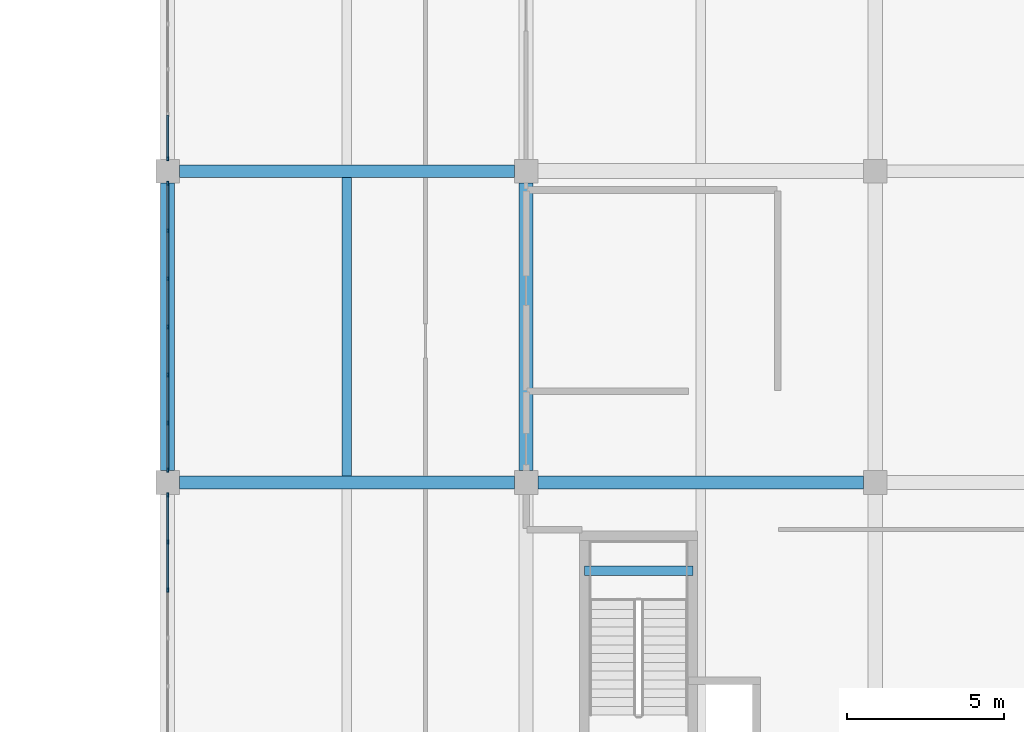
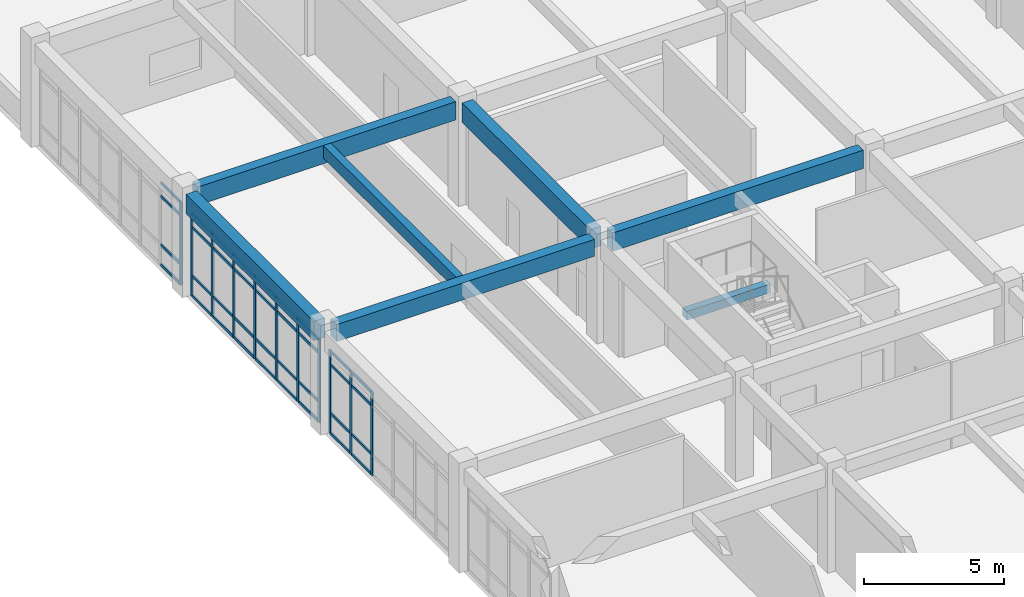
# One storey, part 30 of 68: 47 members, 7 beams, 3 elements without a shape of their own.
"""IFC4 building model written with IfcOpenShell, lengths in metres."""

from ifc_helpers import new_model, si_unit, direction, frame, origin, origin_2d, place, context, subcontext, project, spatial, rectangle, extrude, material, layer, layer_set, material_profile, profile_set, type_object, element, aggregate, save


model = new_model("IFC4")

# Units and contexts
model_context = context("Model", 3, precision=1e-05, world=origin(), true_north=direction((0.0, 1.0)))
body_context = subcontext(model_context, "Body", "Model", "MODEL_VIEW")
ifc_project = project(units=[si_unit("LENGTHUNIT", "METRE"), si_unit("AREAUNIT", "SQUARE_METRE"), si_unit("VOLUMEUNIT", "CUBIC_METRE"), si_unit("PLANEANGLEUNIT", "RADIAN"), si_unit("MASSUNIT", "GRAM", prefix="KILO")], contexts=[model_context])

# Site, building, storey
site_placement = place(None, origin())
site = spatial("IfcSite", under=ifc_project, at=site_placement, CompositionType="ELEMENT")
building_placement = place(site_placement, origin())
building = spatial("IfcBuilding", under=site, at=building_placement, Name="Miralva Faculty of Natural Sciences", CompositionType="ELEMENT")
storey_placement = place(building_placement, frame((0.0, 0.0, 5.39990234375)))
storey = spatial("IfcBuildingStorey", under=building, at=storey_placement, Name="L01", CompositionType="ELEMENT", Elevation=5.39990234375)

# Beams
ifc_material_1 = material(Name="Concrete C40/50", Category="concrete")
ifc_material_profile_1 = material_profile(ifc_material_1, rectangle(XDim=0.449951171875, YDim=0.85009765625, at=origin_2d()), Name="RC 450x850")
ifc_profile_set_1 = profile_set([ifc_material_profile_1], Name="Concrete C40/50")
beam_type_1 = type_object("IfcBeamType", Name="BM-B01", PredefinedType="BEAM", material=ifc_profile_set_1)
for number, where, z_axis, x_axis, name in (
    (1, (133.800048828125, 55.875, 4.05517578125), (0.0, 1.0, 0.0), (-1.0, 0.0, 0.0), "Girder NS L01-165"),
    (2, (145.199951171875, 55.875, 4.05517578125), (0.0, 1.0, 0.0), (-1.0, 0.0, 0.0), "Girder NS L01-172"),
):
    element("IfcBeam", number, at=place(storey_placement, frame(where, z_axis=z_axis, x_axis=x_axis)), inside=storey, type_object=beam_type_1, Name=name, PredefinedType="BEAM", context=body_context, shape_type="SweptSolid", body=[
        extrude(rectangle(XDim=0.449951171875, YDim=0.85009765625, at=origin_2d()), origin(), (0.0, 0.0, 1.0), 9.14990234375),
    ])
ifc_material_profile_2 = material_profile(ifc_material_1, rectangle(XDim=0.39990234375, YDim=0.800048828125, at=origin_2d()), Name="RC 400x800")
ifc_profile_set_2 = profile_set([ifc_material_profile_2], Name="Concrete C40/50")
beam_type_2 = type_object("IfcBeamType", Name="BM-B02", PredefinedType="BEAM", material=ifc_profile_set_2)
beam_1_placement = place(storey_placement, frame((145.574951171875, 55.5, 4.080078125), z_axis=(1.0, 0.0, 0.0), x_axis=(0.0, 1.0, 0.0)))
element("IfcBeam", 3, at=beam_1_placement, inside=storey, type_object=beam_type_2, Name="Girder EW L01-54", PredefinedType="BEAM", context=body_context, shape_type="SweptSolid", body=[
    extrude(rectangle(XDim=0.39990234375, YDim=0.800048828125, at=origin_2d()), origin(), (0.0, 0.0, 1.0), 10.35009765625),
])
beam_2_placement = place(storey_placement, frame((134.175048828125, 65.39990234375, 4.080078125), z_axis=(1.0, 0.0, 0.0), x_axis=(0.0, 1.0, 0.0)))
element("IfcBeam", 4, at=beam_2_placement, inside=storey, type_object=beam_type_2, Name="Girder EW L01-58", PredefinedType="BEAM", context=body_context, shape_type="SweptSolid", body=[
    extrude(rectangle(XDim=0.39990234375, YDim=0.800048828125, at=origin_2d()), origin(), (0.0, 0.0, 1.0), 10.64990234375),
])
ifc_material_profile_3 = material_profile(ifc_material_1, rectangle(XDim=0.419921875, YDim=0.739990234375, at=origin_2d()), Name="RC 420x740")
ifc_profile_set_3 = profile_set([ifc_material_profile_3], Name="Concrete C40/50")
beam_type_3 = type_object("IfcBeamType", Name="BM-BG11", PredefinedType="BEAM", material=ifc_profile_set_3)
beam_3_placement = place(storey_placement, frame((134.175048828125, 55.5, 4.110107421875), z_axis=(1.0, 0.0, 0.0), x_axis=(0.0, 1.0, 0.0)))
element("IfcBeam", 5, at=beam_3_placement, inside=storey, type_object=beam_type_3, Name="Girder EW L01-53", PredefinedType="BEAM", context=body_context, shape_type="SweptSolid", body=[
    extrude(rectangle(XDim=0.419921875, YDim=0.739990234375, at=origin_2d()), origin(), (0.0, 0.0, 1.0), 10.64990234375),
])
ifc_material_profile_4 = material_profile(ifc_material_1, rectangle(XDim=0.300048828125, YDim=0.550048828125, at=origin_2d()), Name="RC 300x550")
ifc_profile_set_4 = profile_set([ifc_material_profile_4], Name="Concrete C40/50")
beam_type_4 = type_object("IfcBeamType", Name="BM-J02", PredefinedType="JOIST", material=ifc_profile_set_4)
beam_4_placement = place(storey_placement, frame((139.5, 55.7099609375, 4.205078125), z_axis=(0.0, 1.0, 0.0), x_axis=(-1.0, 0.0, 0.0)))
element("IfcBeam", 6, at=beam_4_placement, inside=storey, type_object=beam_type_4, Name="Floor joist L01-19", PredefinedType="JOIST", context=body_context, shape_type="SweptSolid", body=[
    extrude(rectangle(XDim=0.300048828125, YDim=0.550048828125, at=origin_2d()), origin(), (0.0, 0.0, 1.0), 9.489990234375),
])
ifc_material_profile_5 = material_profile(ifc_material_1, rectangle(XDim=0.300048828125, YDim=0.3798828125, at=origin_2d()), Name="RC 300x380")
ifc_profile_set_5 = profile_set([ifc_material_profile_5], Name="Concrete C40/50")
beam_type_5 = type_object("IfcBeamType", Name="BM-LND01", PredefinedType="BEAM", material=ifc_profile_set_5)
beam_5_placement = place(storey_placement, frame((147.050048828125, 52.695068359375, 2.02001953125), z_axis=(1.0, 0.0, 0.0), x_axis=(0.0, 1.0, 0.0)))
element("IfcBeam", 7, at=beam_5_placement, inside=storey, type_object=beam_type_5, Name="Stair Core C4 half-landing support beam L01", PredefinedType="BEAM", context=body_context, shape_type="SweptSolid", body=[
    extrude(rectangle(XDim=0.300048828125, YDim=0.3798828125, at=origin_2d()), origin(), (0.0, 0.0, 1.0), 3.449951171875),
])

# Curtain wall, members
ifc_material_2 = material(Name="Laminated solar-control glass", Category="glass")
ifc_layer = layer(ifc_material_2, 0.179931640625, Name="CW-COM-L01")
ifc_layer_set = layer_set([ifc_layer], Name="Laminated solar-control glass")
curtain_wall_type = type_object("IfcCurtainWallType", Name="CW-COM-L01", PredefinedType="USERDEFINED", material=ifc_layer_set)
curtain_wall_1_placement = place(storey_placement, origin())
curtain_wall_1 = element("IfcCurtainWall", 8, at=curtain_wall_1_placement, inside=storey, type_object=curtain_wall_type, Name="Curtain wall CW-10 L01-265", ObjectType="UNITISED CURTAIN WALL", PredefinedType="USERDEFINED")
ifc_material_3 = material(Name="Anodised aluminium", Category="aluminium")
ifc_material_profile_6 = material_profile(ifc_material_3, rectangle(XDim=0.06005859375, YDim=0.139892578125, at=origin_2d()), Name="MULLION 60x140")
ifc_profile_set_6 = profile_set([ifc_material_profile_6], Name="Anodised aluminium")
member_type_1 = type_object("IfcMemberType", Name="CW-M03", PredefinedType="MULLION", material=ifc_profile_set_6)
member_1_placement = place(storey_placement, frame((133.800048828125, 52.078369140625, 0.0), z_axis=(0.0, 0.0, 1.0), x_axis=(-1.0, 0.0, 0.0)))
member_1 = element("IfcMember", 9, at=member_1_placement, type_object=member_type_1, Name="CW-10 mullion 5", PredefinedType="MULLION", context=body_context, shape_type="SweptSolid", body=[
    extrude(rectangle(XDim=0.06005859375, YDim=0.139892578125, at=origin_2d()), origin(), (0.0, 0.0, 1.0), 3.625),
])
member_2_placement = place(storey_placement, frame((133.800048828125, 53.606689453125, 0.0), z_axis=(0.0, 0.0, 1.0), x_axis=(-1.0, 0.0, 0.0)))
member_2 = element("IfcMember", 10, at=member_2_placement, type_object=member_type_1, Name="CW-10 mullion 6", PredefinedType="MULLION", context=body_context, shape_type="SweptSolid", body=[
    extrude(rectangle(XDim=0.06005859375, YDim=0.139892578125, at=origin_2d()), origin(), (0.0, 0.0, 1.0), 3.625),
])
member_3_placement = place(storey_placement, frame((133.800048828125, 55.10498046875, 0.0), z_axis=(0.0, 0.0, 1.0), x_axis=(-1.0, 0.0, 0.0)))
member_3 = element("IfcMember", 11, at=member_3_placement, type_object=member_type_1, Name="CW-10 mullion 7", PredefinedType="MULLION", context=body_context, shape_type="SweptSolid", body=[
    extrude(rectangle(XDim=0.06005859375, YDim=0.139892578125, at=origin_2d()), origin(), (0.0, 0.0, 1.0), 3.625),
])

curtain_wall_2_placement = place(storey_placement, origin())
curtain_wall_2 = element("IfcCurtainWall", 12, at=curtain_wall_2_placement, inside=storey, type_object=curtain_wall_type, Name="Curtain wall CW-10 L01-266", ObjectType="UNITISED CURTAIN WALL", PredefinedType="USERDEFINED")
member_4_placement = place(storey_placement, frame((133.800048828125, 55.89501953125, 0.0), z_axis=(0.0, 0.0, 1.0), x_axis=(-1.0, 0.0, 0.0)))
member_4 = element("IfcMember", 13, at=member_4_placement, type_object=member_type_1, Name="CW-10 mullion 1", PredefinedType="MULLION", context=body_context, shape_type="SweptSolid", body=[
    extrude(rectangle(XDim=0.06005859375, YDim=0.139892578125, at=origin_2d()), origin(), (0.0, 0.0, 1.0), 3.625),
])
member_5_placement = place(storey_placement, frame((133.800048828125, 57.393310546875, 0.0), z_axis=(0.0, 0.0, 1.0), x_axis=(-1.0, 0.0, 0.0)))
member_5 = element("IfcMember", 14, at=member_5_placement, type_object=member_type_1, Name="CW-10 mullion 2", PredefinedType="MULLION", context=body_context, shape_type="SweptSolid", body=[
    extrude(rectangle(XDim=0.06005859375, YDim=0.139892578125, at=origin_2d()), origin(), (0.0, 0.0, 1.0), 3.625),
])
member_6_placement = place(storey_placement, frame((133.800048828125, 58.921630859375, 0.0), z_axis=(0.0, 0.0, 1.0), x_axis=(-1.0, 0.0, 0.0)))
member_6 = element("IfcMember", 15, at=member_6_placement, type_object=member_type_1, Name="CW-10 mullion 3", PredefinedType="MULLION", context=body_context, shape_type="SweptSolid", body=[
    extrude(rectangle(XDim=0.06005859375, YDim=0.139892578125, at=origin_2d()), origin(), (0.0, 0.0, 1.0), 3.625),
])
member_7_placement = place(storey_placement, frame((133.800048828125, 60.449951171875, 0.0), z_axis=(0.0, 0.0, 1.0), x_axis=(-1.0, 0.0, 0.0)))
member_7 = element("IfcMember", 16, at=member_7_placement, type_object=member_type_1, Name="CW-10 mullion 4", PredefinedType="MULLION", context=body_context, shape_type="SweptSolid", body=[
    extrude(rectangle(XDim=0.06005859375, YDim=0.139892578125, at=origin_2d()), origin(), (0.0, 0.0, 1.0), 3.625),
])
member_8_placement = place(storey_placement, frame((133.800048828125, 61.978271484375, 0.0), z_axis=(0.0, 0.0, 1.0), x_axis=(-1.0, 0.0, 0.0)))
member_8 = element("IfcMember", 17, at=member_8_placement, type_object=member_type_1, Name="CW-10 mullion 5", PredefinedType="MULLION", context=body_context, shape_type="SweptSolid", body=[
    extrude(rectangle(XDim=0.06005859375, YDim=0.139892578125, at=origin_2d()), origin(), (0.0, 0.0, 1.0), 3.625),
])
member_9_placement = place(storey_placement, frame((133.800048828125, 63.506591796875, 0.0), z_axis=(0.0, 0.0, 1.0), x_axis=(-1.0, 0.0, 0.0)))
member_9 = element("IfcMember", 18, at=member_9_placement, type_object=member_type_1, Name="CW-10 mullion 6", PredefinedType="MULLION", context=body_context, shape_type="SweptSolid", body=[
    extrude(rectangle(XDim=0.06005859375, YDim=0.139892578125, at=origin_2d()), origin(), (0.0, 0.0, 1.0), 3.625),
])
member_10_placement = place(storey_placement, frame((133.800048828125, 65.0048828125, 0.0), z_axis=(0.0, 0.0, 1.0), x_axis=(-1.0, 0.0, 0.0)))
member_10 = element("IfcMember", 19, at=member_10_placement, type_object=member_type_1, Name="CW-10 mullion 7", PredefinedType="MULLION", context=body_context, shape_type="SweptSolid", body=[
    extrude(rectangle(XDim=0.06005859375, YDim=0.139892578125, at=origin_2d()), origin(), (0.0, 0.0, 1.0), 3.625),
])

# Curtain wall, member
curtain_wall_3_placement = place(storey_placement, origin())
curtain_wall_3 = element("IfcCurtainWall", 20, at=curtain_wall_3_placement, inside=storey, type_object=curtain_wall_type, Name="Curtain wall CW-10 L01-267", ObjectType="UNITISED CURTAIN WALL", PredefinedType="USERDEFINED")
member_11_placement = place(storey_placement, frame((133.800048828125, 65.794921875, 0.0), z_axis=(0.0, 0.0, 1.0), x_axis=(-1.0, 0.0, 0.0)))
member_11 = element("IfcMember", 21, at=member_11_placement, type_object=member_type_1, Name="CW-10 mullion 1", PredefinedType="MULLION", context=body_context, shape_type="SweptSolid", body=[
    extrude(rectangle(XDim=0.06005859375, YDim=0.139892578125, at=origin_2d()), origin(), (0.0, 0.0, 1.0), 3.625),
])

# Member
ifc_material_profile_7 = material_profile(ifc_material_3, rectangle(XDim=0.06005859375, YDim=0.1201171875, at=origin_2d()), Name="TRANSOM 60x120")
ifc_profile_set_7 = profile_set([ifc_material_profile_7], Name="Anodised aluminium")
member_type_2 = type_object("IfcMemberType", Name="CW-T02", PredefinedType="USERDEFINED", material=ifc_profile_set_7)
member_12_placement = place(storey_placement, frame((133.800048828125, 52.1083984375, 0.030029296875), z_axis=(0.0, 1.0, 0.0), x_axis=(-1.0, 0.0, 0.0)))
member_12 = element("IfcMember", 22, at=member_12_placement, type_object=member_type_2, Name="CW-10 transom 5.1", ObjectType="TRANSOM", PredefinedType="USERDEFINED", context=body_context, shape_type="SweptSolid", body=[
    extrude(rectangle(XDim=0.06005859375, YDim=0.1201171875, at=origin_2d()), origin(), (0.0, 0.0, 1.0), 1.46826171875),
])

member_13_placement = place(storey_placement, frame((133.800048828125, 52.1083984375, 0.900146484375), z_axis=(0.0, 1.0, 0.0), x_axis=(-1.0, 0.0, 0.0)))
member_13 = element("IfcMember", 23, at=member_13_placement, type_object=member_type_2, Name="CW-10 transom 5.2", ObjectType="TRANSOM", PredefinedType="USERDEFINED", context=body_context, shape_type="SweptSolid", body=[
    extrude(rectangle(XDim=0.06005859375, YDim=0.1201171875, at=origin_2d()), origin(), (0.0, 0.0, 1.0), 1.46826171875),
])

member_14_placement = place(storey_placement, frame((133.800048828125, 52.1083984375, 3.025146484375), z_axis=(0.0, 1.0, 0.0), x_axis=(-1.0, 0.0, 0.0)))
member_14 = element("IfcMember", 24, at=member_14_placement, type_object=member_type_2, Name="CW-10 transom 5.3", ObjectType="TRANSOM", PredefinedType="USERDEFINED", context=body_context, shape_type="SweptSolid", body=[
    extrude(rectangle(XDim=0.06005859375, YDim=0.1201171875, at=origin_2d()), origin(), (0.0, 0.0, 1.0), 1.46826171875),
])

member_15_placement = place(storey_placement, frame((133.800048828125, 52.1083984375, 3.59521484375), z_axis=(0.0, 1.0, 0.0), x_axis=(-1.0, 0.0, 0.0)))
member_15 = element("IfcMember", 25, at=member_15_placement, type_object=member_type_2, Name="CW-10 transom 5.4", ObjectType="TRANSOM", PredefinedType="USERDEFINED", context=body_context, shape_type="SweptSolid", body=[
    extrude(rectangle(XDim=0.06005859375, YDim=0.1201171875, at=origin_2d()), origin(), (0.0, 0.0, 1.0), 1.46826171875),
])

member_16_placement = place(storey_placement, frame((133.800048828125, 53.63671875, 0.030029296875), z_axis=(0.0, 1.0, 0.0), x_axis=(-1.0, 0.0, 0.0)))
member_16 = element("IfcMember", 26, at=member_16_placement, type_object=member_type_2, Name="CW-10 transom 6.1", ObjectType="TRANSOM", PredefinedType="USERDEFINED", context=body_context, shape_type="SweptSolid", body=[
    extrude(rectangle(XDim=0.06005859375, YDim=0.1201171875, at=origin_2d()), origin(), (0.0, 0.0, 1.0), 1.438232421875),
])

member_17_placement = place(storey_placement, frame((133.800048828125, 53.63671875, 0.900146484375), z_axis=(0.0, 1.0, 0.0), x_axis=(-1.0, 0.0, 0.0)))
member_17 = element("IfcMember", 27, at=member_17_placement, type_object=member_type_2, Name="CW-10 transom 6.2", ObjectType="TRANSOM", PredefinedType="USERDEFINED", context=body_context, shape_type="SweptSolid", body=[
    extrude(rectangle(XDim=0.06005859375, YDim=0.1201171875, at=origin_2d()), origin(), (0.0, 0.0, 1.0), 1.438232421875),
])

member_18_placement = place(storey_placement, frame((133.800048828125, 53.63671875, 3.025146484375), z_axis=(0.0, 1.0, 0.0), x_axis=(-1.0, 0.0, 0.0)))
member_18 = element("IfcMember", 28, at=member_18_placement, type_object=member_type_2, Name="CW-10 transom 6.3", ObjectType="TRANSOM", PredefinedType="USERDEFINED", context=body_context, shape_type="SweptSolid", body=[
    extrude(rectangle(XDim=0.06005859375, YDim=0.1201171875, at=origin_2d()), origin(), (0.0, 0.0, 1.0), 1.438232421875),
])

member_19_placement = place(storey_placement, frame((133.800048828125, 53.63671875, 3.59521484375), z_axis=(0.0, 1.0, 0.0), x_axis=(-1.0, 0.0, 0.0)))
member_19 = element("IfcMember", 29, at=member_19_placement, type_object=member_type_2, Name="CW-10 transom 6.4", ObjectType="TRANSOM", PredefinedType="USERDEFINED", context=body_context, shape_type="SweptSolid", body=[
    extrude(rectangle(XDim=0.06005859375, YDim=0.1201171875, at=origin_2d()), origin(), (0.0, 0.0, 1.0), 1.438232421875),
])

aggregate(curtain_wall_1, [member_1, member_2, member_3, member_12, member_13, member_14, member_15, member_16, member_17, member_18, member_19])

member_20_placement = place(storey_placement, frame((133.800048828125, 55.925048828125, 0.030029296875), z_axis=(0.0, 1.0, 0.0), x_axis=(-1.0, 0.0, 0.0)))
member_20 = element("IfcMember", 30, at=member_20_placement, type_object=member_type_2, Name="CW-10 transom 1.1", ObjectType="TRANSOM", PredefinedType="USERDEFINED", context=body_context, shape_type="SweptSolid", body=[
    extrude(rectangle(XDim=0.06005859375, YDim=0.1201171875, at=origin_2d()), origin(), (0.0, 0.0, 1.0), 1.438232421875),
])

member_21_placement = place(storey_placement, frame((133.800048828125, 55.925048828125, 0.900146484375), z_axis=(0.0, 1.0, 0.0), x_axis=(-1.0, 0.0, 0.0)))
member_21 = element("IfcMember", 31, at=member_21_placement, type_object=member_type_2, Name="CW-10 transom 1.2", ObjectType="TRANSOM", PredefinedType="USERDEFINED", context=body_context, shape_type="SweptSolid", body=[
    extrude(rectangle(XDim=0.06005859375, YDim=0.1201171875, at=origin_2d()), origin(), (0.0, 0.0, 1.0), 1.438232421875),
])

member_22_placement = place(storey_placement, frame((133.800048828125, 55.925048828125, 3.025146484375), z_axis=(0.0, 1.0, 0.0), x_axis=(-1.0, 0.0, 0.0)))
member_22 = element("IfcMember", 32, at=member_22_placement, type_object=member_type_2, Name="CW-10 transom 1.3", ObjectType="TRANSOM", PredefinedType="USERDEFINED", context=body_context, shape_type="SweptSolid", body=[
    extrude(rectangle(XDim=0.06005859375, YDim=0.1201171875, at=origin_2d()), origin(), (0.0, 0.0, 1.0), 1.438232421875),
])

member_23_placement = place(storey_placement, frame((133.800048828125, 55.925048828125, 3.59521484375), z_axis=(0.0, 1.0, 0.0), x_axis=(-1.0, 0.0, 0.0)))
member_23 = element("IfcMember", 33, at=member_23_placement, type_object=member_type_2, Name="CW-10 transom 1.4", ObjectType="TRANSOM", PredefinedType="USERDEFINED", context=body_context, shape_type="SweptSolid", body=[
    extrude(rectangle(XDim=0.06005859375, YDim=0.1201171875, at=origin_2d()), origin(), (0.0, 0.0, 1.0), 1.438232421875),
])

member_24_placement = place(storey_placement, frame((133.800048828125, 57.42333984375, 0.030029296875), z_axis=(0.0, 1.0, 0.0), x_axis=(-1.0, 0.0, 0.0)))
member_24 = element("IfcMember", 34, at=member_24_placement, type_object=member_type_2, Name="CW-10 transom 2.1", ObjectType="TRANSOM", PredefinedType="USERDEFINED", context=body_context, shape_type="SweptSolid", body=[
    extrude(rectangle(XDim=0.06005859375, YDim=0.1201171875, at=origin_2d()), origin(), (0.0, 0.0, 1.0), 1.46826171875),
])

member_25_placement = place(storey_placement, frame((133.800048828125, 57.42333984375, 0.900146484375), z_axis=(0.0, 1.0, 0.0), x_axis=(-1.0, 0.0, 0.0)))
member_25 = element("IfcMember", 35, at=member_25_placement, type_object=member_type_2, Name="CW-10 transom 2.2", ObjectType="TRANSOM", PredefinedType="USERDEFINED", context=body_context, shape_type="SweptSolid", body=[
    extrude(rectangle(XDim=0.06005859375, YDim=0.1201171875, at=origin_2d()), origin(), (0.0, 0.0, 1.0), 1.46826171875),
])

member_26_placement = place(storey_placement, frame((133.800048828125, 57.42333984375, 3.025146484375), z_axis=(0.0, 1.0, 0.0), x_axis=(-1.0, 0.0, 0.0)))
member_26 = element("IfcMember", 36, at=member_26_placement, type_object=member_type_2, Name="CW-10 transom 2.3", ObjectType="TRANSOM", PredefinedType="USERDEFINED", context=body_context, shape_type="SweptSolid", body=[
    extrude(rectangle(XDim=0.06005859375, YDim=0.1201171875, at=origin_2d()), origin(), (0.0, 0.0, 1.0), 1.46826171875),
])

member_27_placement = place(storey_placement, frame((133.800048828125, 57.42333984375, 3.59521484375), z_axis=(0.0, 1.0, 0.0), x_axis=(-1.0, 0.0, 0.0)))
member_27 = element("IfcMember", 37, at=member_27_placement, type_object=member_type_2, Name="CW-10 transom 2.4", ObjectType="TRANSOM", PredefinedType="USERDEFINED", context=body_context, shape_type="SweptSolid", body=[
    extrude(rectangle(XDim=0.06005859375, YDim=0.1201171875, at=origin_2d()), origin(), (0.0, 0.0, 1.0), 1.46826171875),
])

member_28_placement = place(storey_placement, frame((133.800048828125, 58.95166015625, 0.030029296875), z_axis=(0.0, 1.0, 0.0), x_axis=(-1.0, 0.0, 0.0)))
member_28 = element("IfcMember", 38, at=member_28_placement, type_object=member_type_2, Name="CW-10 transom 3.1", ObjectType="TRANSOM", PredefinedType="USERDEFINED", context=body_context, shape_type="SweptSolid", body=[
    extrude(rectangle(XDim=0.06005859375, YDim=0.1201171875, at=origin_2d()), origin(), (0.0, 0.0, 1.0), 1.46826171875),
])

member_29_placement = place(storey_placement, frame((133.800048828125, 58.95166015625, 0.900146484375), z_axis=(0.0, 1.0, 0.0), x_axis=(-1.0, 0.0, 0.0)))
member_29 = element("IfcMember", 39, at=member_29_placement, type_object=member_type_2, Name="CW-10 transom 3.2", ObjectType="TRANSOM", PredefinedType="USERDEFINED", context=body_context, shape_type="SweptSolid", body=[
    extrude(rectangle(XDim=0.06005859375, YDim=0.1201171875, at=origin_2d()), origin(), (0.0, 0.0, 1.0), 1.46826171875),
])

member_30_placement = place(storey_placement, frame((133.800048828125, 58.95166015625, 3.025146484375), z_axis=(0.0, 1.0, 0.0), x_axis=(-1.0, 0.0, 0.0)))
member_30 = element("IfcMember", 40, at=member_30_placement, type_object=member_type_2, Name="CW-10 transom 3.3", ObjectType="TRANSOM", PredefinedType="USERDEFINED", context=body_context, shape_type="SweptSolid", body=[
    extrude(rectangle(XDim=0.06005859375, YDim=0.1201171875, at=origin_2d()), origin(), (0.0, 0.0, 1.0), 1.46826171875),
])

member_31_placement = place(storey_placement, frame((133.800048828125, 58.95166015625, 3.59521484375), z_axis=(0.0, 1.0, 0.0), x_axis=(-1.0, 0.0, 0.0)))
member_31 = element("IfcMember", 41, at=member_31_placement, type_object=member_type_2, Name="CW-10 transom 3.4", ObjectType="TRANSOM", PredefinedType="USERDEFINED", context=body_context, shape_type="SweptSolid", body=[
    extrude(rectangle(XDim=0.06005859375, YDim=0.1201171875, at=origin_2d()), origin(), (0.0, 0.0, 1.0), 1.46826171875),
])

member_32_placement = place(storey_placement, frame((133.800048828125, 60.47998046875, 0.030029296875), z_axis=(0.0, 1.0, 0.0), x_axis=(-1.0, 0.0, 0.0)))
member_32 = element("IfcMember", 42, at=member_32_placement, type_object=member_type_2, Name="CW-10 transom 4.1", ObjectType="TRANSOM", PredefinedType="USERDEFINED", context=body_context, shape_type="SweptSolid", body=[
    extrude(rectangle(XDim=0.06005859375, YDim=0.1201171875, at=origin_2d()), origin(), (0.0, 0.0, 1.0), 1.46826171875),
])

member_33_placement = place(storey_placement, frame((133.800048828125, 60.47998046875, 0.900146484375), z_axis=(0.0, 1.0, 0.0), x_axis=(-1.0, 0.0, 0.0)))
member_33 = element("IfcMember", 43, at=member_33_placement, type_object=member_type_2, Name="CW-10 transom 4.2", ObjectType="TRANSOM", PredefinedType="USERDEFINED", context=body_context, shape_type="SweptSolid", body=[
    extrude(rectangle(XDim=0.06005859375, YDim=0.1201171875, at=origin_2d()), origin(), (0.0, 0.0, 1.0), 1.46826171875),
])

member_34_placement = place(storey_placement, frame((133.800048828125, 60.47998046875, 3.025146484375), z_axis=(0.0, 1.0, 0.0), x_axis=(-1.0, 0.0, 0.0)))
member_34 = element("IfcMember", 44, at=member_34_placement, type_object=member_type_2, Name="CW-10 transom 4.3", ObjectType="TRANSOM", PredefinedType="USERDEFINED", context=body_context, shape_type="SweptSolid", body=[
    extrude(rectangle(XDim=0.06005859375, YDim=0.1201171875, at=origin_2d()), origin(), (0.0, 0.0, 1.0), 1.46826171875),
])

member_35_placement = place(storey_placement, frame((133.800048828125, 60.47998046875, 3.59521484375), z_axis=(0.0, 1.0, 0.0), x_axis=(-1.0, 0.0, 0.0)))
member_35 = element("IfcMember", 45, at=member_35_placement, type_object=member_type_2, Name="CW-10 transom 4.4", ObjectType="TRANSOM", PredefinedType="USERDEFINED", context=body_context, shape_type="SweptSolid", body=[
    extrude(rectangle(XDim=0.06005859375, YDim=0.1201171875, at=origin_2d()), origin(), (0.0, 0.0, 1.0), 1.46826171875),
])

member_36_placement = place(storey_placement, frame((133.800048828125, 62.00830078125, 0.030029296875), z_axis=(0.0, 1.0, 0.0), x_axis=(-1.0, 0.0, 0.0)))
member_36 = element("IfcMember", 46, at=member_36_placement, type_object=member_type_2, Name="CW-10 transom 5.1", ObjectType="TRANSOM", PredefinedType="USERDEFINED", context=body_context, shape_type="SweptSolid", body=[
    extrude(rectangle(XDim=0.06005859375, YDim=0.1201171875, at=origin_2d()), origin(), (0.0, 0.0, 1.0), 1.46826171875),
])

member_37_placement = place(storey_placement, frame((133.800048828125, 62.00830078125, 0.900146484375), z_axis=(0.0, 1.0, 0.0), x_axis=(-1.0, 0.0, 0.0)))
member_37 = element("IfcMember", 47, at=member_37_placement, type_object=member_type_2, Name="CW-10 transom 5.2", ObjectType="TRANSOM", PredefinedType="USERDEFINED", context=body_context, shape_type="SweptSolid", body=[
    extrude(rectangle(XDim=0.06005859375, YDim=0.1201171875, at=origin_2d()), origin(), (0.0, 0.0, 1.0), 1.46826171875),
])

member_38_placement = place(storey_placement, frame((133.800048828125, 62.00830078125, 3.025146484375), z_axis=(0.0, 1.0, 0.0), x_axis=(-1.0, 0.0, 0.0)))
member_38 = element("IfcMember", 48, at=member_38_placement, type_object=member_type_2, Name="CW-10 transom 5.3", ObjectType="TRANSOM", PredefinedType="USERDEFINED", context=body_context, shape_type="SweptSolid", body=[
    extrude(rectangle(XDim=0.06005859375, YDim=0.1201171875, at=origin_2d()), origin(), (0.0, 0.0, 1.0), 1.46826171875),
])

member_39_placement = place(storey_placement, frame((133.800048828125, 62.00830078125, 3.59521484375), z_axis=(0.0, 1.0, 0.0), x_axis=(-1.0, 0.0, 0.0)))
member_39 = element("IfcMember", 49, at=member_39_placement, type_object=member_type_2, Name="CW-10 transom 5.4", ObjectType="TRANSOM", PredefinedType="USERDEFINED", context=body_context, shape_type="SweptSolid", body=[
    extrude(rectangle(XDim=0.06005859375, YDim=0.1201171875, at=origin_2d()), origin(), (0.0, 0.0, 1.0), 1.46826171875),
])

member_40_placement = place(storey_placement, frame((133.800048828125, 63.53662109375, 0.030029296875), z_axis=(0.0, 1.0, 0.0), x_axis=(-1.0, 0.0, 0.0)))
member_40 = element("IfcMember", 50, at=member_40_placement, type_object=member_type_2, Name="CW-10 transom 6.1", ObjectType="TRANSOM", PredefinedType="USERDEFINED", context=body_context, shape_type="SweptSolid", body=[
    extrude(rectangle(XDim=0.06005859375, YDim=0.1201171875, at=origin_2d()), origin(), (0.0, 0.0, 1.0), 1.4384765625),
])

member_41_placement = place(storey_placement, frame((133.800048828125, 63.53662109375, 0.900146484375), z_axis=(0.0, 1.0, 0.0), x_axis=(-1.0, 0.0, 0.0)))
member_41 = element("IfcMember", 51, at=member_41_placement, type_object=member_type_2, Name="CW-10 transom 6.2", ObjectType="TRANSOM", PredefinedType="USERDEFINED", context=body_context, shape_type="SweptSolid", body=[
    extrude(rectangle(XDim=0.06005859375, YDim=0.1201171875, at=origin_2d()), origin(), (0.0, 0.0, 1.0), 1.4384765625),
])

member_42_placement = place(storey_placement, frame((133.800048828125, 63.53662109375, 3.025146484375), z_axis=(0.0, 1.0, 0.0), x_axis=(-1.0, 0.0, 0.0)))
member_42 = element("IfcMember", 52, at=member_42_placement, type_object=member_type_2, Name="CW-10 transom 6.3", ObjectType="TRANSOM", PredefinedType="USERDEFINED", context=body_context, shape_type="SweptSolid", body=[
    extrude(rectangle(XDim=0.06005859375, YDim=0.1201171875, at=origin_2d()), origin(), (0.0, 0.0, 1.0), 1.4384765625),
])

member_43_placement = place(storey_placement, frame((133.800048828125, 63.53662109375, 3.59521484375), z_axis=(0.0, 1.0, 0.0), x_axis=(-1.0, 0.0, 0.0)))
member_43 = element("IfcMember", 53, at=member_43_placement, type_object=member_type_2, Name="CW-10 transom 6.4", ObjectType="TRANSOM", PredefinedType="USERDEFINED", context=body_context, shape_type="SweptSolid", body=[
    extrude(rectangle(XDim=0.06005859375, YDim=0.1201171875, at=origin_2d()), origin(), (0.0, 0.0, 1.0), 1.4384765625),
])

aggregate(curtain_wall_2, [member_4, member_5, member_6, member_7, member_8, member_9, member_10, member_20, member_21, member_22, member_23, member_24, member_25, member_26, member_27, member_28, member_29, member_30, member_31, member_32, member_33, member_34, member_35, member_36, member_37, member_38, member_39, member_40, member_41, member_42, member_43])

member_44_placement = place(storey_placement, frame((133.800048828125, 65.824951171875, 0.030029296875), z_axis=(0.0, 1.0, 0.0), x_axis=(-1.0, 0.0, 0.0)))
member_44 = element("IfcMember", 54, at=member_44_placement, type_object=member_type_2, Name="CW-10 transom 1.1", ObjectType="TRANSOM", PredefinedType="USERDEFINED", context=body_context, shape_type="SweptSolid", body=[
    extrude(rectangle(XDim=0.06005859375, YDim=0.1201171875, at=origin_2d()), origin(), (0.0, 0.0, 1.0), 1.3486328125),
])

member_45_placement = place(storey_placement, frame((133.800048828125, 65.824951171875, 0.900146484375), z_axis=(0.0, 1.0, 0.0), x_axis=(-1.0, 0.0, 0.0)))
member_45 = element("IfcMember", 55, at=member_45_placement, type_object=member_type_2, Name="CW-10 transom 1.2", ObjectType="TRANSOM", PredefinedType="USERDEFINED", context=body_context, shape_type="SweptSolid", body=[
    extrude(rectangle(XDim=0.06005859375, YDim=0.1201171875, at=origin_2d()), origin(), (0.0, 0.0, 1.0), 1.3486328125),
])

member_46_placement = place(storey_placement, frame((133.800048828125, 65.824951171875, 3.025146484375), z_axis=(0.0, 1.0, 0.0), x_axis=(-1.0, 0.0, 0.0)))
member_46 = element("IfcMember", 56, at=member_46_placement, type_object=member_type_2, Name="CW-10 transom 1.3", ObjectType="TRANSOM", PredefinedType="USERDEFINED", context=body_context, shape_type="SweptSolid", body=[
    extrude(rectangle(XDim=0.06005859375, YDim=0.1201171875, at=origin_2d()), origin(), (0.0, 0.0, 1.0), 1.3486328125),
])

member_47_placement = place(storey_placement, frame((133.800048828125, 65.824951171875, 3.59521484375), z_axis=(0.0, 1.0, 0.0), x_axis=(-1.0, 0.0, 0.0)))
member_47 = element("IfcMember", 57, at=member_47_placement, type_object=member_type_2, Name="CW-10 transom 1.4", ObjectType="TRANSOM", PredefinedType="USERDEFINED", context=body_context, shape_type="SweptSolid", body=[
    extrude(rectangle(XDim=0.06005859375, YDim=0.1201171875, at=origin_2d()), origin(), (0.0, 0.0, 1.0), 1.3486328125),
])

aggregate(curtain_wall_3, [member_11, member_44, member_45, member_46, member_47])

save(model, "model.ifc")
